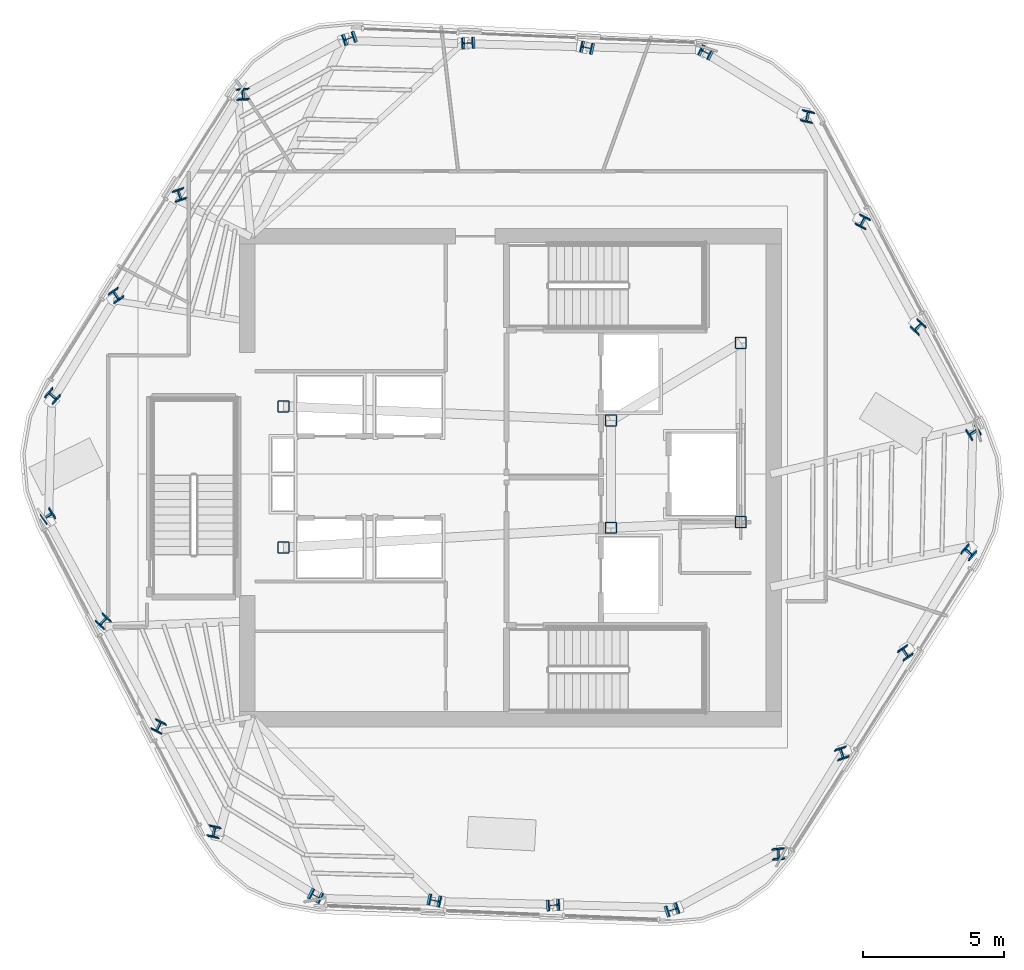
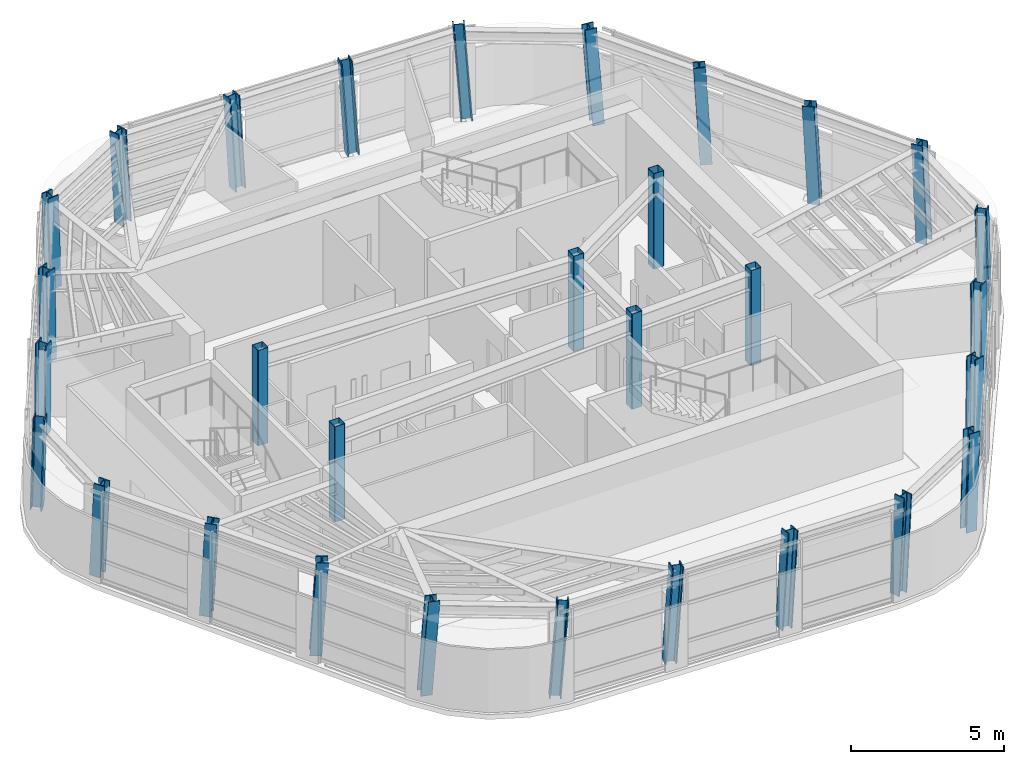
# One storey, part 1 of 13: 30 columns.
"""IFC4 building model written with IfcOpenShell, lengths in metres."""

from ifc_helpers import new_model, si_unit, direction, frame, origin, origin_2d, place, context, subcontext, project, spatial, hollow_rectangle, i_section, extrude, material, material_profile, profile_set, type_object, element, save


model = new_model("IFC4")

# Units and contexts
model_context = context("Model", 3, precision=1e-05, world=origin(), true_north=direction((0.0, 1.0)))
body_context = subcontext(model_context, "Body", "Model", "MODEL_VIEW")
ifc_project = project(units=[si_unit("LENGTHUNIT", "METRE"), si_unit("AREAUNIT", "SQUARE_METRE"), si_unit("VOLUMEUNIT", "CUBIC_METRE"), si_unit("PLANEANGLEUNIT", "RADIAN"), si_unit("MASSUNIT", "GRAM", prefix="KILO")], contexts=[model_context])

# Site, building, storey
site_placement = place(None, origin())
site = spatial("IfcSite", under=ifc_project, at=site_placement, CompositionType="ELEMENT")
building_placement = place(site_placement, origin())
building = spatial("IfcBuilding", under=site, at=building_placement, Name="Valkerne Bourse Tower", CompositionType="ELEMENT")
storey_placement = place(building_placement, frame((0.0, 0.0, 273.60009765625)))
storey = spatial("IfcBuildingStorey", under=building, at=storey_placement, Name="L69", CompositionType="ELEMENT", Elevation=273.60009765625)

# Columns
ifc_material_1 = material(Name="Steel ASTM A500 Grade C", Category="steel")
ifc_material_profile_1 = material_profile(ifc_material_1, hollow_rectangle(XDim=0.39990234375, YDim=0.39990234375, WallThickness=0.01611328125, OuterFilletRadius=0.031982421875, at=origin_2d()), Name="HSS400X400X16")
ifc_profile_set_1 = profile_set([ifc_material_profile_1], Name="Steel ASTM A500 Grade C")
column_type_1 = type_object("IfcColumnType", Name="COL-HSS400X400X16", PredefinedType="COLUMN", material=ifc_profile_set_1)
for number, where, z_axis, x_axis, name in (
    (1, (38.75, 24.39990234375, 0.0048828125), (0.0, 0.0, 1.0), (1.0, 0.0, 0.0), "L69 Core Frame Column CC-SW"),
    (2, (38.75, 29.39990234375, 0.0048828125), (0.0, 0.0, 1.0), (1.0, 0.0, 0.0), "L69 Core Frame Column CC-NW"),
    (3, (50.35009765625, 25.10009765625, 0.0048828125), (0.0, 0.0, 1.0), (1.0, 0.0, 0.0), "L69 Core Frame Column CC-CE1"),
    (4, (50.35009765625, 28.89990234375, 0.0048828125), (0.0, 0.0, 1.0), (1.0, 0.0, 0.0), "L69 Core Frame Column CC-CE2"),
    (5, (54.949951171875, 25.300048828125, 0.0048828125), (0.0, 0.0, 1.0), (1.0, 0.0, 0.0), "L69 Core Frame Column CC-SE"),
    (6, (54.949951171875, 31.64990234375, 0.0048828125), (0.0, 0.0, 1.0), (1.0, 0.0, 0.0), "L69 Core Frame Column CC-NE"),
):
    element("IfcColumn", number, at=place(storey_placement, frame(where, z_axis=z_axis, x_axis=x_axis)), inside=storey, type_object=column_type_1, Name=name, PredefinedType="COLUMN", context=body_context, shape_type="SweptSolid", body=[
        extrude(hollow_rectangle(XDim=0.39990234375, YDim=0.39990234375, WallThickness=0.01611328125, OuterFilletRadius=0.031982421875, at=origin_2d()), origin(), (0.0, 0.0, 1.0), 3.794921875),
    ])
ifc_material_2 = material(Name="Steel ASTM A913 Grade 65", Category="steel")
ifc_material_profile_2 = material_profile(ifc_material_2, i_section(OverallWidth=0.4013671875, OverallDepth=0.398681640625, WebThickness=0.02490234375, FlangeThickness=0.03955078125, FilletRadius=0.025390625, at=origin_2d()), Name="W14X211")
ifc_profile_set_2 = profile_set([ifc_material_profile_2], Name="Steel ASTM A913 Grade 65")
column_type_2 = type_object("IfcColumnType", Name="COL-W14X211", PredefinedType="COLUMN", material=ifc_profile_set_2)
column_1_placement = place(storey_placement, frame((53.748779296875, 41.9208984375, 0.010009765625), z_axis=(-0.062036384095, 0.028344765318, 0.997671319287), x_axis=(0.453216208375, 0.891396046079, 0.002856134073)))
element("IfcColumn", 7, at=column_1_placement, inside=storey, type_object=column_type_2, Name="L69 Helical Perimeter Tube Column F1-C1", PredefinedType="COLUMN", context=body_context, shape_type="SweptSolid", body=[
    extrude(i_section(OverallWidth=0.4013671875, OverallDepth=0.398681640625, WebThickness=0.02490234375, FlangeThickness=0.03955078125, FilletRadius=0.025390625, at=origin_2d()), origin(), (0.0, 0.0, 1.0), 3.789794921875),
])
for number, where, z_axis, x_axis, name in (
    (8, (49.54052734375, 42.09716796875, 0.010009765625), (-0.062699538898, 0.010890259069, 0.997973030738), (0.212151710113, 0.977233109465, 0.002664894327), "L69 Helical Perimeter Tube Column F1-C2"),
    (9, (45.332275390625, 42.273681640625, 0.010009765625), (-0.063279567359, -0.006572826752, 0.997974195209), (-0.061656012466, 0.998093902667, 0.002664129517), "L69 Helical Perimeter Tube Column F1-C3"),
):
    element("IfcColumn", number, at=place(storey_placement, frame(where, z_axis=z_axis, x_axis=x_axis)), inside=storey, type_object=column_type_2, Name=name, PredefinedType="COLUMN", context=body_context, shape_type="SweptSolid", body=[
        extrude(i_section(OverallWidth=0.4013671875, OverallDepth=0.398681640625, WebThickness=0.02490234375, FlangeThickness=0.03955078125, FilletRadius=0.025390625, at=origin_2d()), origin(), (0.0, 0.0, 1.0), 3.78857421875),
    ])
for number, where, z_axis, x_axis, name in (
    (10, (41.1240234375, 42.449951171875, 0.010009765625), (-0.063840109963, -0.024028618584, 0.997670820386), (-0.312852439137, 0.949797447922, 0.002856439652), "L69 Helical Perimeter Tube Column F1-C4"),
    (11, (37.3525390625, 40.478515625, 0.010009765625), (-0.055529937489, -0.039618226863, 0.997670698248), (-0.99692979401, -0.053045108173, -0.057595158776), "L69 Helical Perimeter Tube Column F2-C1"),
):
    element("IfcColumn", number, at=place(storey_placement, frame(where, z_axis=z_axis, x_axis=x_axis)), inside=storey, type_object=column_type_2, Name=name, PredefinedType="COLUMN", context=body_context, shape_type="SweptSolid", body=[
        extrude(i_section(OverallWidth=0.4013671875, OverallDepth=0.398681640625, WebThickness=0.02490234375, FlangeThickness=0.03955078125, FilletRadius=0.025390625, at=origin_2d()), origin(), (0.0, 0.0, 1.0), 3.789794921875),
    ])
for number, where, z_axis, x_axis, name in (
    (12, (35.095703125, 36.922119140625, 0.010009765625), (-0.040725812644, -0.048845199342, 0.997975728505), (-0.951143863936, -0.304042935965, -0.053695839573), "L69 Helical Perimeter Tube Column F2-C2"),
    (13, (32.8388671875, 33.36572265625, 0.010009765625), (-0.025969137548, -0.058060032087, 0.997975268516), (-0.833169045553, -0.55040479997, -0.053701933888), "L69 Helical Perimeter Tube Column F2-C3"),
):
    element("IfcColumn", number, at=place(storey_placement, frame(where, z_axis=z_axis, x_axis=x_axis)), inside=storey, type_object=column_type_2, Name=name, PredefinedType="COLUMN", context=body_context, shape_type="SweptSolid", body=[
        extrude(i_section(OverallWidth=0.4013671875, OverallDepth=0.398681640625, WebThickness=0.02490234375, FlangeThickness=0.03955078125, FilletRadius=0.025390625, at=origin_2d()), origin(), (0.0, 0.0, 1.0), 3.78857421875),
    ])
for number, where, z_axis, x_axis, name in (
    (14, (30.581787109375, 29.809326171875, 0.010009765625), (-0.011080211728, -0.067318728234, 0.997669994405), (-0.665519179586, -0.744154566003, -0.057603849704), "L69 Helical Perimeter Tube Column F2-C4"),
    (15, (30.40380859375, 25.5576171875, 0.010009765625), (0.006506410041, -0.067898576071, 0.997671012908), (0.545520192384, -0.835914952608, -0.060447594723), "L69 Helical Perimeter Tube Column F3-C1"),
):
    element("IfcColumn", number, at=place(storey_placement, frame(where, z_axis=z_axis, x_axis=x_axis)), inside=storey, type_object=column_type_2, Name=name, PredefinedType="COLUMN", context=body_context, shape_type="SweptSolid", body=[
        extrude(i_section(OverallWidth=0.4013671875, OverallDepth=0.398681640625, WebThickness=0.02490234375, FlangeThickness=0.03955078125, FilletRadius=0.025390625, at=origin_2d()), origin(), (0.0, 0.0, 1.0), 3.789794921875),
    ])
for number, where, z_axis, x_axis, name in (
    (16, (32.35498046875, 21.82470703125, 0.010009765625), (0.021973906285, -0.059671076891, 0.997976207144), (0.740375390697, -0.66982736475, -0.056352305029), "L69 Helical Perimeter Tube Column F3-C2"),
    (17, (34.306396484375, 18.092041015625, 0.010009765625), (0.037374891554, -0.051487135089, 0.997974043952), (0.894472077883, -0.443554651345, -0.056382383392), "L69 Helical Perimeter Tube Column F3-C3"),
):
    element("IfcColumn", number, at=place(storey_placement, frame(where, z_axis=z_axis, x_axis=x_axis)), inside=storey, type_object=column_type_2, Name=name, PredefinedType="COLUMN", context=body_context, shape_type="SweptSolid", body=[
        extrude(i_section(OverallWidth=0.4013671875, OverallDepth=0.398681640625, WebThickness=0.02490234375, FlangeThickness=0.03955078125, FilletRadius=0.025390625, at=origin_2d()), origin(), (0.0, 0.0, 1.0), 3.78857421875),
    ])
for number, where, z_axis, x_axis, name in (
    (18, (36.2578125, 14.359375, 0.010009765625), (0.052759764808, -0.043290063432, 0.997668470798), (0.977379427571, -0.20266119321, -0.060480536774), "L69 Helical Perimeter Tube Column F3-C4"),
    (19, (39.85107421875, 12.0791015625, 0.010009765625), (0.062036384095, -0.028344765318, 0.997671319287), (0.453216208375, 0.891396046079, -0.002856134073), "L69 Helical Perimeter Tube Column F4-C1"),
):
    element("IfcColumn", number, at=place(storey_placement, frame(where, z_axis=z_axis, x_axis=x_axis)), inside=storey, type_object=column_type_2, Name=name, PredefinedType="COLUMN", context=body_context, shape_type="SweptSolid", body=[
        extrude(i_section(OverallWidth=0.4013671875, OverallDepth=0.398681640625, WebThickness=0.02490234375, FlangeThickness=0.03955078125, FilletRadius=0.025390625, at=origin_2d()), origin(), (0.0, 0.0, 1.0), 3.789794921875),
    ])
for number, where, z_axis, x_axis, name in (
    (20, (44.059326171875, 11.90283203125, 0.010009765625), (0.062699538898, -0.010890259069, 0.997973030738), (0.212151710113, 0.977233109465, -0.002664894327), "L69 Helical Perimeter Tube Column F4-C2"),
    (21, (48.267578125, 11.726318359375, 0.010009765625), (0.063279567359, 0.006572826752, 0.997974195209), (-0.061656012466, 0.998093902667, -0.002664129517), "L69 Helical Perimeter Tube Column F4-C3"),
):
    element("IfcColumn", number, at=place(storey_placement, frame(where, z_axis=z_axis, x_axis=x_axis)), inside=storey, type_object=column_type_2, Name=name, PredefinedType="COLUMN", context=body_context, shape_type="SweptSolid", body=[
        extrude(i_section(OverallWidth=0.4013671875, OverallDepth=0.398681640625, WebThickness=0.02490234375, FlangeThickness=0.03955078125, FilletRadius=0.025390625, at=origin_2d()), origin(), (0.0, 0.0, 1.0), 3.78857421875),
    ])
for number, where, z_axis, x_axis, name in (
    (22, (52.47607421875, 11.550048828125, 0.010009765625), (0.063840109963, 0.024028618584, 0.997670820386), (-0.312852439137, 0.949797447922, -0.002856439652), "L69 Helical Perimeter Tube Column F4-C4"),
    (23, (56.247314453125, 13.521484375, 0.010009765625), (0.055594158382, 0.039618085058, 0.997667127298), (-0.996956261042, -0.052496968835, 0.057639238659), "L69 Helical Perimeter Tube Column F5-C1"),
):
    element("IfcColumn", number, at=place(storey_placement, frame(where, z_axis=z_axis, x_axis=x_axis)), inside=storey, type_object=column_type_2, Name=name, PredefinedType="COLUMN", context=body_context, shape_type="SweptSolid", body=[
        extrude(i_section(OverallWidth=0.4013671875, OverallDepth=0.398681640625, WebThickness=0.02490234375, FlangeThickness=0.03955078125, FilletRadius=0.025390625, at=origin_2d()), origin(), (0.0, 0.0, 1.0), 3.789794921875),
    ])
for number, where, z_axis, x_axis, name in (
    (24, (58.50439453125, 17.077880859375, 0.010009765625), (0.040725812644, 0.048845199342, 0.997975728505), (-0.951143863936, -0.304042935965, 0.053695839573), "L69 Helical Perimeter Tube Column F5-C2"),
    (25, (60.76123046875, 20.63427734375, 0.010009765625), (0.025904741297, 0.058060129127, 0.997976936499), (-0.832660009374, -0.551176727057, 0.053679831784), "L69 Helical Perimeter Tube Column F5-C3"),
):
    element("IfcColumn", number, at=place(storey_placement, frame(where, z_axis=z_axis, x_axis=x_axis)), inside=storey, type_object=column_type_2, Name=name, PredefinedType="COLUMN", context=body_context, shape_type="SweptSolid", body=[
        extrude(i_section(OverallWidth=0.4013671875, OverallDepth=0.398681640625, WebThickness=0.02490234375, FlangeThickness=0.03955078125, FilletRadius=0.025390625, at=origin_2d()), origin(), (0.0, 0.0, 1.0), 3.78857421875),
    ])
for number, where, z_axis, x_axis, name in (
    (26, (63.01806640625, 24.190673828125, 0.010009765625), (0.011144623586, 0.067318680043, 0.997669280214), (-0.666212012473, -0.743533681167, 0.057612667074), "L69 Helical Perimeter Tube Column F5-C4"),
    (27, (63.1962890625, 28.4423828125, 0.010009765625), (-0.006506410041, 0.067898576071, 0.997671012908), (0.545520192384, -0.835914952608, 0.060447594723), "L69 Helical Perimeter Tube Column F6-C1"),
):
    element("IfcColumn", number, at=place(storey_placement, frame(where, z_axis=z_axis, x_axis=x_axis)), inside=storey, type_object=column_type_2, Name=name, PredefinedType="COLUMN", context=body_context, shape_type="SweptSolid", body=[
        extrude(i_section(OverallWidth=0.4013671875, OverallDepth=0.398681640625, WebThickness=0.02490234375, FlangeThickness=0.03955078125, FilletRadius=0.025390625, at=origin_2d()), origin(), (0.0, 0.0, 1.0), 3.789794921875),
    ])
for number, where, z_axis, x_axis, name in (
    (28, (61.244873046875, 32.17529296875, 0.010009765625), (-0.021909497655, 0.059671161261, 0.997977618199), (0.73973828754, -0.670532546224, 0.056332676152), "L69 Helical Perimeter Tube Column F6-C2"),
    (29, (59.29345703125, 35.907958984375, 0.010009765625), (-0.037310541868, 0.051487258985, 0.997976445427), (0.894109247974, -0.444289819739, 0.056348990802), "L69 Helical Perimeter Tube Column F6-C3"),
):
    element("IfcColumn", number, at=place(storey_placement, frame(where, z_axis=z_axis, x_axis=x_axis)), inside=storey, type_object=column_type_2, Name=name, PredefinedType="COLUMN", context=body_context, shape_type="SweptSolid", body=[
        extrude(i_section(OverallWidth=0.4013671875, OverallDepth=0.398681640625, WebThickness=0.02490234375, FlangeThickness=0.03955078125, FilletRadius=0.025390625, at=origin_2d()), origin(), (0.0, 0.0, 1.0), 3.78857421875),
    ])
column_2_placement = place(storey_placement, frame((57.342041015625, 39.640625, 0.010009765625), z_axis=(-0.052759764808, 0.043290063432, 0.997668470798), x_axis=(0.977379427571, -0.20266119321, 0.060480536774)))
element("IfcColumn", 30, at=column_2_placement, inside=storey, type_object=column_type_2, Name="L69 Helical Perimeter Tube Column F6-C4", PredefinedType="COLUMN", context=body_context, shape_type="SweptSolid", body=[
    extrude(i_section(OverallWidth=0.4013671875, OverallDepth=0.398681640625, WebThickness=0.02490234375, FlangeThickness=0.03955078125, FilletRadius=0.025390625, at=origin_2d()), origin(), (0.0, 0.0, 1.0), 3.789794921875),
])

save(model, "model.ifc")
